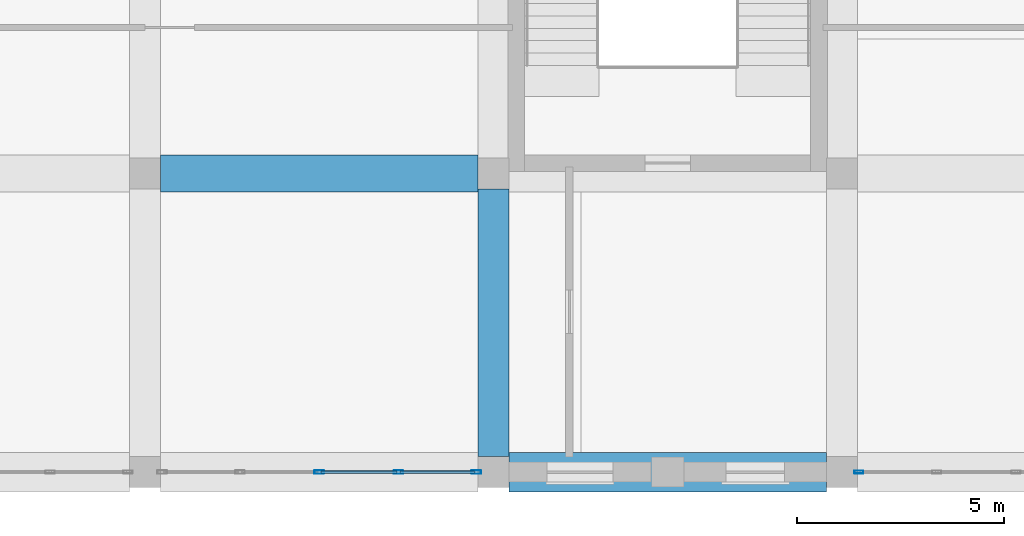
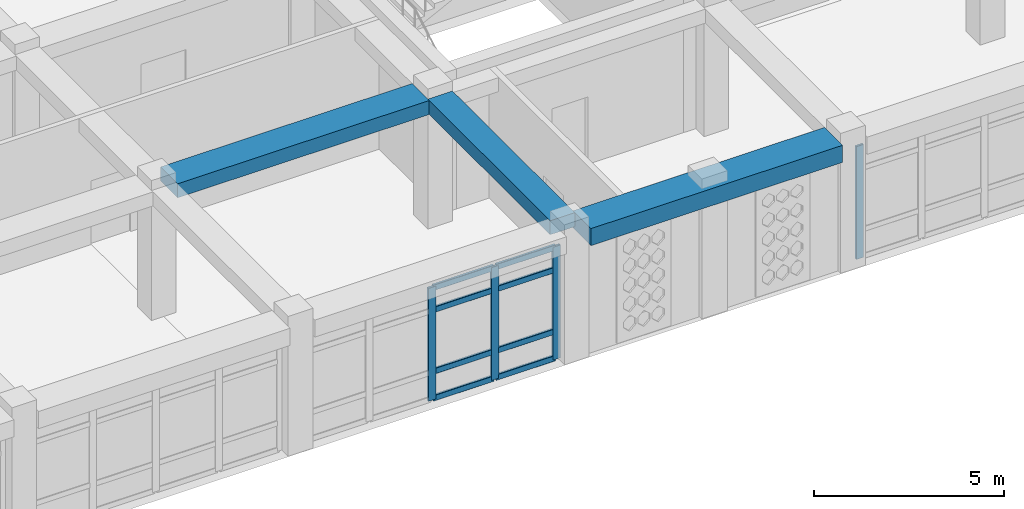
# One storey, part 27 of 121: 12 members, 3 beams, 2 elements without a shape of their own.
"""IFC4 building model written with IfcOpenShell, lengths in metres."""

from ifc_helpers import new_model, si_unit, derived_unit, direction, frame, origin, origin_2d, place, context, subcontext, project, spatial, rectangle, hollow_rectangle, extrude, material, material_profile, profile_set, type_object, element, aggregate, save


model = new_model("IFC4")

# Units and contexts
model_context = context("Model", 3, precision=1e-05, world=origin(), true_north=direction((0.0, 1.0)))
body_context = subcontext(model_context, "Body", "Model", "MODEL_VIEW")
ifc_project = project(units=[si_unit("LENGTHUNIT", "METRE"), si_unit("AREAUNIT", "SQUARE_METRE"), si_unit("VOLUMEUNIT", "CUBIC_METRE"), si_unit("PLANEANGLEUNIT", "RADIAN"), si_unit("MASSUNIT", "GRAM", prefix="KILO"), derived_unit("THERMALTRANSMITTANCEUNIT", [(si_unit("POWERUNIT", "WATT"), 1), (si_unit("LENGTHUNIT", "METRE"), -2), (si_unit("THERMODYNAMICTEMPERATUREUNIT", "KELVIN"), -1)])], contexts=[model_context])

# Site, building, storey
site_placement = place(None, origin())
site = spatial("IfcSite", under=ifc_project, at=site_placement, CompositionType="ELEMENT")
building_placement = place(site_placement, origin())
building = spatial("IfcBuilding", under=site, at=building_placement, Name="Veybourne Emporium", CompositionType="ELEMENT")
storey_placement = place(building_placement, frame((0.0, 0.0, 5.39990234375)))
storey = spatial("IfcBuildingStorey", under=building, at=storey_placement, Name="L01", CompositionType="ELEMENT", Elevation=5.39990234375)

# Curtain wall, members
ifc_material_1 = material(Name="Patinated Architectural Bronze", Category="bronze")
curtain_wall_type_1 = type_object("IfcCurtainWallType", Name="CWSystem_CWS-19", PredefinedType="NOTDEFINED", material=ifc_material_1)
curtain_wall_1_placement = place(storey_placement, origin())
curtain_wall_1 = element("IfcCurtainWall", 1, at=curtain_wall_1_placement, inside=storey, type_object=curtain_wall_type_1, Name="L01 bronze glazed curtain wall CWS-19 (046)", PredefinedType="NOTDEFINED")
ifc_material_profile_1 = material_profile(ifc_material_1, hollow_rectangle(XDim=0.077880859375, YDim=0.235107421875, WallThickness=0.0048828125, InnerFilletRadius=0.007568359375, OuterFilletRadius=0.012451171875, at=origin_2d()), Name="CWM 78x235x5")
ifc_profile_set_1 = profile_set([ifc_material_profile_1], Name="Patinated Architectural Bronze")
member_type_1 = type_object("IfcMemberType", Name="CWMullion_CW-M3", PredefinedType="MULLION", material=ifc_profile_set_1)
member_1_placement = place(storey_placement, frame((100.385986328125, 0.0, 0.0), z_axis=(0.0, 0.0, 1.0), x_axis=(0.0, -1.0, 0.0)))
member_1 = element("IfcMember", 2, at=member_1_placement, type_object=member_type_1, Name="CWS-19 mullion 1", PredefinedType="MULLION", context=body_context, shape_type="SweptSolid", body=[
    extrude(hollow_rectangle(XDim=0.077880859375, YDim=0.235107421875, WallThickness=0.0048828125, InnerFilletRadius=0.007568359375, OuterFilletRadius=0.012451171875, at=origin_2d()), origin(), (0.0, 0.0, 1.0), 3.630126953125),
])
member_2_placement = place(storey_placement, frame((98.512451171875, 0.0, 0.0), z_axis=(0.0, 0.0, 1.0), x_axis=(0.0, -1.0, 0.0)))
member_2 = element("IfcMember", 3, at=member_2_placement, type_object=member_type_1, Name="CWS-19 mullion 2", PredefinedType="MULLION", context=body_context, shape_type="SweptSolid", body=[
    extrude(hollow_rectangle(XDim=0.077880859375, YDim=0.235107421875, WallThickness=0.0048828125, InnerFilletRadius=0.007568359375, OuterFilletRadius=0.012451171875, at=origin_2d()), origin(), (0.0, 0.0, 1.0), 3.630126953125),
])
member_3_placement = place(storey_placement, frame((96.60009765625, 0.0, 0.0), z_axis=(0.0, 0.0, 1.0), x_axis=(0.0, -1.0, 0.0)))
member_3 = element("IfcMember", 4, at=member_3_placement, type_object=member_type_1, Name="CWS-19 mullion 3", PredefinedType="MULLION", context=body_context, shape_type="SweptSolid", body=[
    extrude(hollow_rectangle(XDim=0.077880859375, YDim=0.235107421875, WallThickness=0.0048828125, InnerFilletRadius=0.007568359375, OuterFilletRadius=0.012451171875, at=origin_2d()), origin(), (0.0, 0.0, 1.0), 3.630126953125),
])

# Curtain wall, member
curtain_wall_type_2 = type_object("IfcCurtainWallType", Name="CWSystem_CWS-24", PredefinedType="NOTDEFINED", material=ifc_material_1)
curtain_wall_2_placement = place(storey_placement, origin())
curtain_wall_2 = element("IfcCurtainWall", 5, at=curtain_wall_2_placement, inside=storey, type_object=curtain_wall_type_2, Name="L01 bronze glazed curtain wall CWS-24 (063)", PredefinedType="NOTDEFINED")
ifc_material_profile_2 = material_profile(ifc_material_1, hollow_rectangle(XDim=0.070068359375, YDim=0.219970703125, WallThickness=0.0048828125, InnerFilletRadius=0.007568359375, OuterFilletRadius=0.012451171875, at=origin_2d()), Name="CWM 70x220x5")
ifc_profile_set_2 = profile_set([ifc_material_profile_2], Name="Patinated Architectural Bronze")
member_type_2 = type_object("IfcMemberType", Name="CWMullion_CW-M4", PredefinedType="MULLION", material=ifc_profile_set_2)
member_4_placement = place(storey_placement, frame((109.610107421875, 0.0, 0.0), z_axis=(0.0, 0.0, 1.0), x_axis=(0.0, -1.0, 0.0)))
member_4 = element("IfcMember", 6, at=member_4_placement, type_object=member_type_2, Name="CWS-24 mullion 5", PredefinedType="MULLION", context=body_context, shape_type="SweptSolid", body=[
    extrude(hollow_rectangle(XDim=0.070068359375, YDim=0.219970703125, WallThickness=0.0048828125, InnerFilletRadius=0.007568359375, OuterFilletRadius=0.012451171875, at=origin_2d()), origin(), (0.0, 0.0, 1.0), 3.630126953125),
])
aggregate(curtain_wall_2, [member_4])

# Member
ifc_material_profile_3 = material_profile(ifc_material_1, hollow_rectangle(XDim=0.077880859375, YDim=0.18505859375, WallThickness=0.0048828125, InnerFilletRadius=0.007568359375, OuterFilletRadius=0.012451171875, at=origin_2d()), Name="CWT 78x185x5")
ifc_profile_set_3 = profile_set([ifc_material_profile_3], Name="Patinated Architectural Bronze")
member_type_3 = type_object("IfcMemberType", Name="CWTransom_CW-T3", PredefinedType="NOTDEFINED", material=ifc_profile_set_3)
member_5_placement = place(storey_placement, frame((100.346923828125, 0.0, 0.0390625), z_axis=(-1.0, 0.0, 0.0), x_axis=(0.0, -1.0, 0.0)))
member_5 = element("IfcMember", 7, at=member_5_placement, type_object=member_type_3, Name="CWS-19 transom 1.1", ObjectType="TRANSOM", PredefinedType="USERDEFINED", context=body_context, shape_type="SweptSolid", body=[
    extrude(hollow_rectangle(XDim=0.077880859375, YDim=0.18505859375, WallThickness=0.0048828125, InnerFilletRadius=0.007568359375, OuterFilletRadius=0.012451171875, at=origin_2d()), origin(), (0.0, 0.0, 1.0), 1.79541015625),
])

member_6_placement = place(storey_placement, frame((100.346923828125, 0.0, 0.900146484375), z_axis=(-1.0, 0.0, 0.0), x_axis=(0.0, -1.0, 0.0)))
member_6 = element("IfcMember", 8, at=member_6_placement, type_object=member_type_3, Name="CWS-19 transom 1.2", ObjectType="TRANSOM", PredefinedType="USERDEFINED", context=body_context, shape_type="SweptSolid", body=[
    extrude(hollow_rectangle(XDim=0.077880859375, YDim=0.18505859375, WallThickness=0.0048828125, InnerFilletRadius=0.007568359375, OuterFilletRadius=0.012451171875, at=origin_2d()), origin(), (0.0, 0.0, 1.0), 1.79541015625),
])

member_7_placement = place(storey_placement, frame((100.346923828125, 0.0, 2.880126953125), z_axis=(-1.0, 0.0, 0.0), x_axis=(0.0, -1.0, 0.0)))
member_7 = element("IfcMember", 9, at=member_7_placement, type_object=member_type_3, Name="CWS-19 transom 1.3", ObjectType="TRANSOM", PredefinedType="USERDEFINED", context=body_context, shape_type="SweptSolid", body=[
    extrude(hollow_rectangle(XDim=0.077880859375, YDim=0.18505859375, WallThickness=0.0048828125, InnerFilletRadius=0.007568359375, OuterFilletRadius=0.012451171875, at=origin_2d()), origin(), (0.0, 0.0, 1.0), 1.79541015625),
])

member_8_placement = place(storey_placement, frame((100.346923828125, 0.0, 3.591064453125), z_axis=(-1.0, 0.0, 0.0), x_axis=(0.0, -1.0, 0.0)))
member_8 = element("IfcMember", 10, at=member_8_placement, type_object=member_type_3, Name="CWS-19 transom 1.4", ObjectType="TRANSOM", PredefinedType="USERDEFINED", context=body_context, shape_type="SweptSolid", body=[
    extrude(hollow_rectangle(XDim=0.077880859375, YDim=0.18505859375, WallThickness=0.0048828125, InnerFilletRadius=0.007568359375, OuterFilletRadius=0.012451171875, at=origin_2d()), origin(), (0.0, 0.0, 1.0), 1.79541015625),
])

member_9_placement = place(storey_placement, frame((98.473388671875, 0.0, 0.0390625), z_axis=(-1.0, 0.0, 0.0), x_axis=(0.0, -1.0, 0.0)))
member_9 = element("IfcMember", 11, at=member_9_placement, type_object=member_type_3, Name="CWS-19 transom 2.1", ObjectType="TRANSOM", PredefinedType="USERDEFINED", context=body_context, shape_type="SweptSolid", body=[
    extrude(hollow_rectangle(XDim=0.077880859375, YDim=0.18505859375, WallThickness=0.0048828125, InnerFilletRadius=0.007568359375, OuterFilletRadius=0.012451171875, at=origin_2d()), origin(), (0.0, 0.0, 1.0), 1.83447265625),
])

member_10_placement = place(storey_placement, frame((98.473388671875, 0.0, 0.900146484375), z_axis=(-1.0, 0.0, 0.0), x_axis=(0.0, -1.0, 0.0)))
member_10 = element("IfcMember", 12, at=member_10_placement, type_object=member_type_3, Name="CWS-19 transom 2.2", ObjectType="TRANSOM", PredefinedType="USERDEFINED", context=body_context, shape_type="SweptSolid", body=[
    extrude(hollow_rectangle(XDim=0.077880859375, YDim=0.18505859375, WallThickness=0.0048828125, InnerFilletRadius=0.007568359375, OuterFilletRadius=0.012451171875, at=origin_2d()), origin(), (0.0, 0.0, 1.0), 1.83447265625),
])

member_11_placement = place(storey_placement, frame((98.473388671875, 0.0, 2.880126953125), z_axis=(-1.0, 0.0, 0.0), x_axis=(0.0, -1.0, 0.0)))
member_11 = element("IfcMember", 13, at=member_11_placement, type_object=member_type_3, Name="CWS-19 transom 2.3", ObjectType="TRANSOM", PredefinedType="USERDEFINED", context=body_context, shape_type="SweptSolid", body=[
    extrude(hollow_rectangle(XDim=0.077880859375, YDim=0.18505859375, WallThickness=0.0048828125, InnerFilletRadius=0.007568359375, OuterFilletRadius=0.012451171875, at=origin_2d()), origin(), (0.0, 0.0, 1.0), 1.83447265625),
])

member_12_placement = place(storey_placement, frame((98.473388671875, 0.0, 3.591064453125), z_axis=(-1.0, 0.0, 0.0), x_axis=(0.0, -1.0, 0.0)))
member_12 = element("IfcMember", 14, at=member_12_placement, type_object=member_type_3, Name="CWS-19 transom 2.4", ObjectType="TRANSOM", PredefinedType="USERDEFINED", context=body_context, shape_type="SweptSolid", body=[
    extrude(hollow_rectangle(XDim=0.077880859375, YDim=0.18505859375, WallThickness=0.0048828125, InnerFilletRadius=0.007568359375, OuterFilletRadius=0.012451171875, at=origin_2d()), origin(), (0.0, 0.0, 1.0), 1.83447265625),
])

aggregate(curtain_wall_1, [member_1, member_2, member_3, member_5, member_6, member_7, member_8, member_9, member_10, member_11, member_12])

# Beams
ifc_material_2 = material(Name="Concrete C32/40", Category="concrete")
ifc_material_profile_4 = material_profile(ifc_material_2, rectangle(XDim=0.89990234375, YDim=0.449951171875, at=origin_2d()), Name="RC 900x450")
ifc_profile_set_4 = profile_set([ifc_material_profile_4], Name="Concrete C32/40")
beam_type_1 = type_object("IfcBeamType", Name="RCBeam_BB-03", PredefinedType="BEAM", material=ifc_profile_set_4)
beam_1_placement = place(storey_placement, frame((92.77490234375, 7.199951171875, 3.955078125), z_axis=(1.0, 0.0, 0.0), x_axis=(0.0, 1.0, 0.0)))
element("IfcBeam", 15, at=beam_1_placement, inside=storey, type_object=beam_type_1, Name="L01 X-grid beam BB-03 (11,1)", PredefinedType="BEAM", context=body_context, shape_type="SweptSolid", body=[
    extrude(rectangle(XDim=0.89990234375, YDim=0.449951171875, at=origin_2d()), origin(), (0.0, 0.0, 1.0), 7.650146484375),
])
ifc_material_profile_5 = material_profile(ifc_material_2, rectangle(XDim=0.75, YDim=0.449951171875, at=origin_2d()), Name="RC 750x450")
ifc_profile_set_5 = profile_set([ifc_material_profile_5], Name="Concrete C32/40")
beam_type_2 = type_object("IfcBeamType", Name="RCBeam_BB-04", PredefinedType="BEAM", material=ifc_profile_set_5)
beam_2_placement = place(storey_placement, frame((100.800048828125, 0.375, 3.955078125), z_axis=(0.0, 1.0, 0.0), x_axis=(-1.0, 0.0, 0.0)))
element("IfcBeam", 16, at=beam_2_placement, inside=storey, type_object=beam_type_2, Name="L01 Y-grid beam BB-04 (12,0)", PredefinedType="BEAM", context=body_context, shape_type="SweptSolid", body=[
    extrude(rectangle(XDim=0.75, YDim=0.449951171875, at=origin_2d()), origin(), (0.0, 0.0, 1.0), 6.449951171875),
])
ifc_material_profile_6 = material_profile(ifc_material_2, rectangle(XDim=0.949951171875, YDim=0.550048828125, at=origin_2d()), Name="RC 950x550")
ifc_profile_set_6 = profile_set([ifc_material_profile_6], Name="Concrete C32/40")
beam_type_3 = type_object("IfcBeamType", Name="RCBeam_EB-01", PredefinedType="SPANDREL", material=ifc_profile_set_6)
beam_3_placement = place(storey_placement, frame((101.175048828125, 0.0, 3.905029296875), z_axis=(1.0, 0.0, 0.0), x_axis=(0.0, 1.0, 0.0)))
element("IfcBeam", 17, at=beam_3_placement, inside=storey, type_object=beam_type_3, Name="L01 X-grid beam EB-01 (12,0)", PredefinedType="SPANDREL", context=body_context, shape_type="SweptSolid", body=[
    extrude(rectangle(XDim=0.949951171875, YDim=0.550048828125, at=origin_2d()), origin(), (0.0, 0.0, 1.0), 7.64990234375),
])

save(model, "model.ifc")
